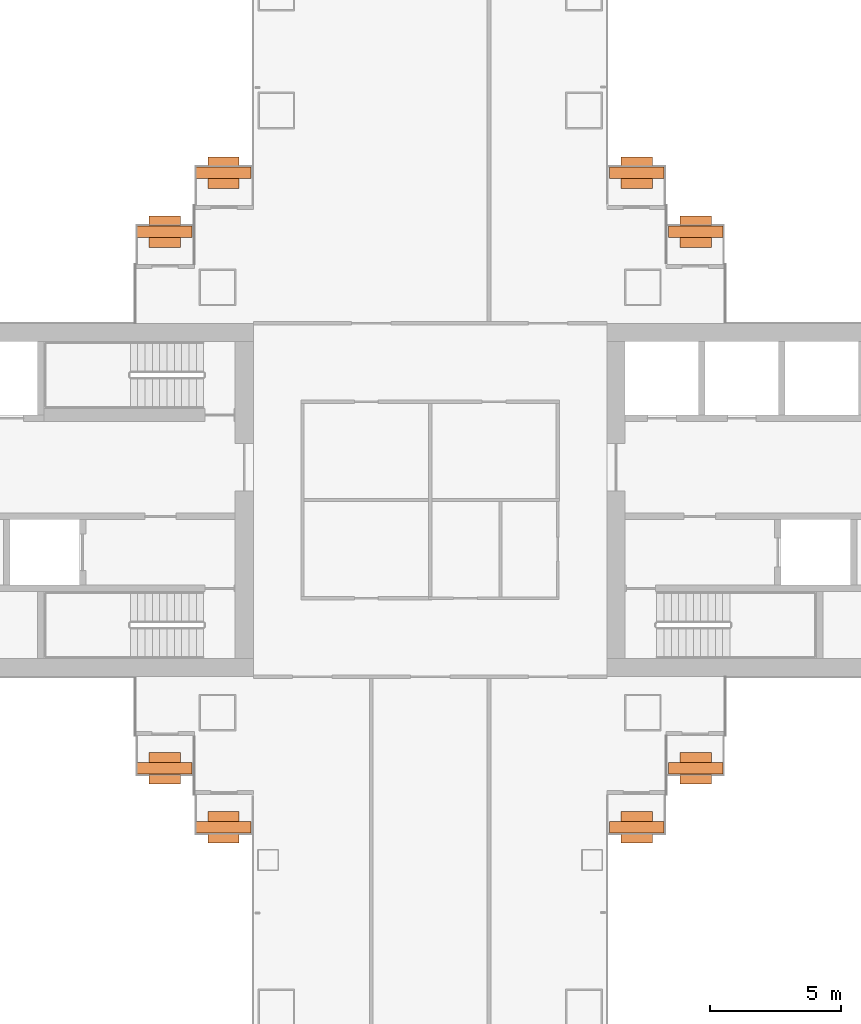
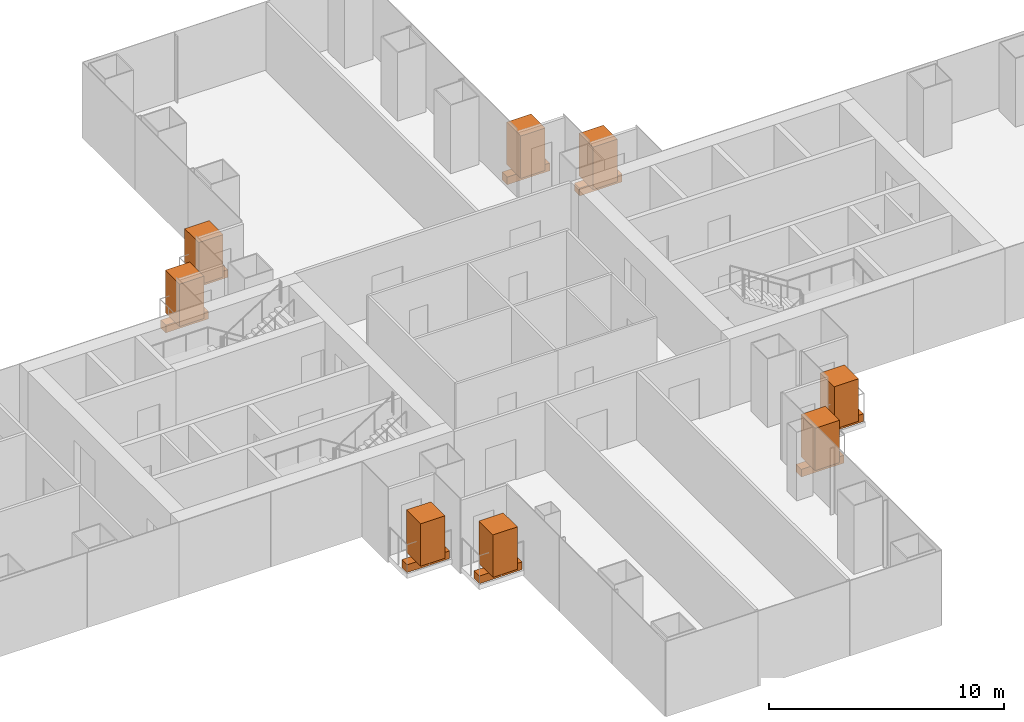
# One storey, part 21 of 21: 8 geographic elements, 8 proxies.
"""IFC4 building model written with IfcOpenShell, lengths in metres."""

from ifc_helpers import new_model, si_unit, direction, frame, origin, origin_2d, place, context, subcontext, project, spatial, rectangle, extrude, material, type_object, element, save


model = new_model("IFC4")

# Units and contexts
model_context = context("Model", 3, precision=1e-05, world=origin(), true_north=direction((0.0, 1.0)))
body_context = subcontext(model_context, "Body", "Model", "MODEL_VIEW")
ifc_project = project(units=[si_unit("LENGTHUNIT", "METRE"), si_unit("AREAUNIT", "SQUARE_METRE"), si_unit("VOLUMEUNIT", "CUBIC_METRE"), si_unit("PLANEANGLEUNIT", "RADIAN"), si_unit("MASSUNIT", "GRAM", prefix="KILO")], contexts=[model_context])

# Site, building, storey
site_placement = place(None, origin())
site = spatial("IfcSite", under=ifc_project, at=site_placement, CompositionType="ELEMENT")
building_placement = place(site_placement, origin())
building = spatial("IfcBuilding", under=site, at=building_placement, Name="Shamsa Quay Exchange Towers", CompositionType="ELEMENT")
storey_placement = place(building_placement, frame((0.0, 0.0, 42.0)))
storey = spatial("IfcBuildingStorey", under=building, at=storey_placement, Name="L08", CompositionType="ELEMENT", Elevation=42.0)

# Proxies
ifc_material_1 = material(Name="Reinforced concrete C30/37, black glass-fibre faced", Category="concrete")
building_element_proxy_type = type_object("IfcBuildingElementProxyType", Name="BALCONY PLANTER", PredefinedType="USERDEFINED", material=ifc_material_1)
for number, where, z_axis, x_axis, name in (
    (1, (-23.60595703125, 10.2451171875, 0.0), (0.0, 0.0, 1.0), (-1.0, 0.0, 0.0), "PLANTER T1-PKEN L08"),
    (2, (-25.85595703125, 12.4951171875, 0.0), (0.0, 0.0, 1.0), (-1.0, 0.0, 0.0), "PLANTER T1-PKEN L08"),
):
    element("IfcBuildingElementProxy", number, at=place(storey_placement, frame(where, z_axis=z_axis, x_axis=x_axis)), inside=storey, type_object=building_element_proxy_type, Name=name, ObjectType="PLANTER", PredefinedType="USERDEFINED", context=body_context, shape_type="SweptSolid", body=[
        extrude(rectangle(XDim=2.092041015625, YDim=0.449951171875, at=origin_2d()), origin(), (0.0, 0.0, 1.0), 0.39990234375),
    ])
for number, where, name in (
    (3, (-23.60595703125, -10.2451171875, 0.0), "PLANTER T1-PKES L08"),
    (4, (-25.85595703125, -12.4951171875, 0.0), "PLANTER T1-PKES L08"),
):
    element("IfcBuildingElementProxy", number, at=place(storey_placement, frame(where)), inside=storey, type_object=building_element_proxy_type, Name=name, ObjectType="PLANTER", PredefinedType="USERDEFINED", context=body_context, shape_type="SweptSolid", body=[
        extrude(rectangle(XDim=2.092041015625, YDim=0.449951171875, at=origin_2d()), origin(), (0.0, 0.0, 1.0), 0.39990234375),
    ])
for number, where, z_axis, x_axis, name in (
    (5, (-41.64404296875, 12.4951171875, 0.0), (0.0, 0.0, 1.0), (-1.0, 0.0, 0.0), "PLANTER T1-PKWN L08"),
    (6, (-43.89404296875, 10.2451171875, 0.0), (0.0, 0.0, 1.0), (-1.0, 0.0, 0.0), "PLANTER T1-PKWN L08"),
):
    element("IfcBuildingElementProxy", number, at=place(storey_placement, frame(where, z_axis=z_axis, x_axis=x_axis)), inside=storey, type_object=building_element_proxy_type, Name=name, ObjectType="PLANTER", PredefinedType="USERDEFINED", context=body_context, shape_type="SweptSolid", body=[
        extrude(rectangle(XDim=2.092041015625, YDim=0.449951171875, at=origin_2d()), origin(), (0.0, 0.0, 1.0), 0.39990234375),
    ])
for number, where, name in (
    (7, (-43.89404296875, -10.2451171875, 0.0), "PLANTER T1-PKWS L08"),
    (8, (-41.64404296875, -12.4951171875, 0.0), "PLANTER T1-PKWS L08"),
):
    element("IfcBuildingElementProxy", number, at=place(storey_placement, frame(where)), inside=storey, type_object=building_element_proxy_type, Name=name, ObjectType="PLANTER", PredefinedType="USERDEFINED", context=body_context, shape_type="SweptSolid", body=[
        extrude(rectangle(XDim=2.092041015625, YDim=0.449951171875, at=origin_2d()), origin(), (0.0, 0.0, 1.0), 0.39990234375),
    ])

# Geographic elements
ifc_material_2 = material(Name="Planting")
geographic_element_type = type_object("IfcGeographicElementType", Name="BALCONY TREE", PredefinedType="USERDEFINED", material=ifc_material_2)
for number, where, z_axis, x_axis, name in (
    (9, (-23.60595703125, 10.2451171875, 0.39990234375), (0.0, 0.0, 1.0), (-1.0, 0.0, 0.0), "TREE T1-PKEN L08"),
    (10, (-25.85595703125, 12.4951171875, 0.39990234375), (0.0, 0.0, 1.0), (-1.0, 0.0, 0.0), "TREE T1-PKEN L08"),
):
    element("IfcGeographicElement", number, at=place(storey_placement, frame(where, z_axis=z_axis, x_axis=x_axis)), inside=storey, type_object=geographic_element_type, Name=name, ObjectType="TREE", PredefinedType="USERDEFINED", context=body_context, shape_type="SweptSolid", body=[
        extrude(rectangle(XDim=1.199951171875, YDim=1.199951171875, at=origin_2d()), origin(), (0.0, 0.0, 1.0), 2.199951171875),
    ])
for number, where, name in (
    (11, (-23.60595703125, -10.2451171875, 0.39990234375), "TREE T1-PKES L08"),
    (12, (-25.85595703125, -12.4951171875, 0.39990234375), "TREE T1-PKES L08"),
):
    element("IfcGeographicElement", number, at=place(storey_placement, frame(where)), inside=storey, type_object=geographic_element_type, Name=name, ObjectType="TREE", PredefinedType="USERDEFINED", context=body_context, shape_type="SweptSolid", body=[
        extrude(rectangle(XDim=1.199951171875, YDim=1.199951171875, at=origin_2d()), origin(), (0.0, 0.0, 1.0), 2.199951171875),
    ])
for number, where, z_axis, x_axis, name in (
    (13, (-41.64404296875, 12.4951171875, 0.39990234375), (0.0, 0.0, 1.0), (-1.0, 0.0, 0.0), "TREE T1-PKWN L08"),
    (14, (-43.89404296875, 10.2451171875, 0.39990234375), (0.0, 0.0, 1.0), (-1.0, 0.0, 0.0), "TREE T1-PKWN L08"),
):
    element("IfcGeographicElement", number, at=place(storey_placement, frame(where, z_axis=z_axis, x_axis=x_axis)), inside=storey, type_object=geographic_element_type, Name=name, ObjectType="TREE", PredefinedType="USERDEFINED", context=body_context, shape_type="SweptSolid", body=[
        extrude(rectangle(XDim=1.199951171875, YDim=1.199951171875, at=origin_2d()), origin(), (0.0, 0.0, 1.0), 2.199951171875),
    ])
for number, where, name in (
    (15, (-43.89404296875, -10.2451171875, 0.39990234375), "TREE T1-PKWS L08"),
    (16, (-41.64404296875, -12.4951171875, 0.39990234375), "TREE T1-PKWS L08"),
):
    element("IfcGeographicElement", number, at=place(storey_placement, frame(where)), inside=storey, type_object=geographic_element_type, Name=name, ObjectType="TREE", PredefinedType="USERDEFINED", context=body_context, shape_type="SweptSolid", body=[
        extrude(rectangle(XDim=1.199951171875, YDim=1.199951171875, at=origin_2d()), origin(), (0.0, 0.0, 1.0), 2.199951171875),
    ])

save(model, "model.ifc")
